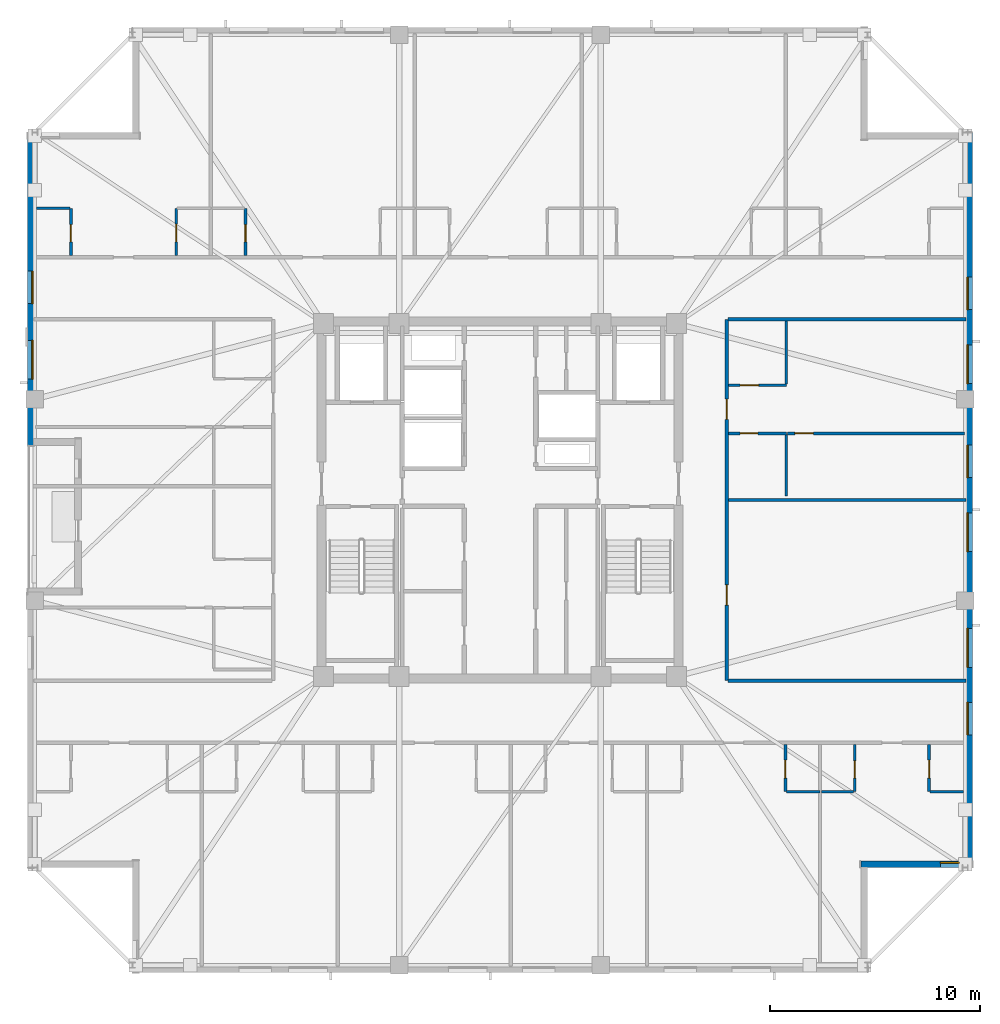
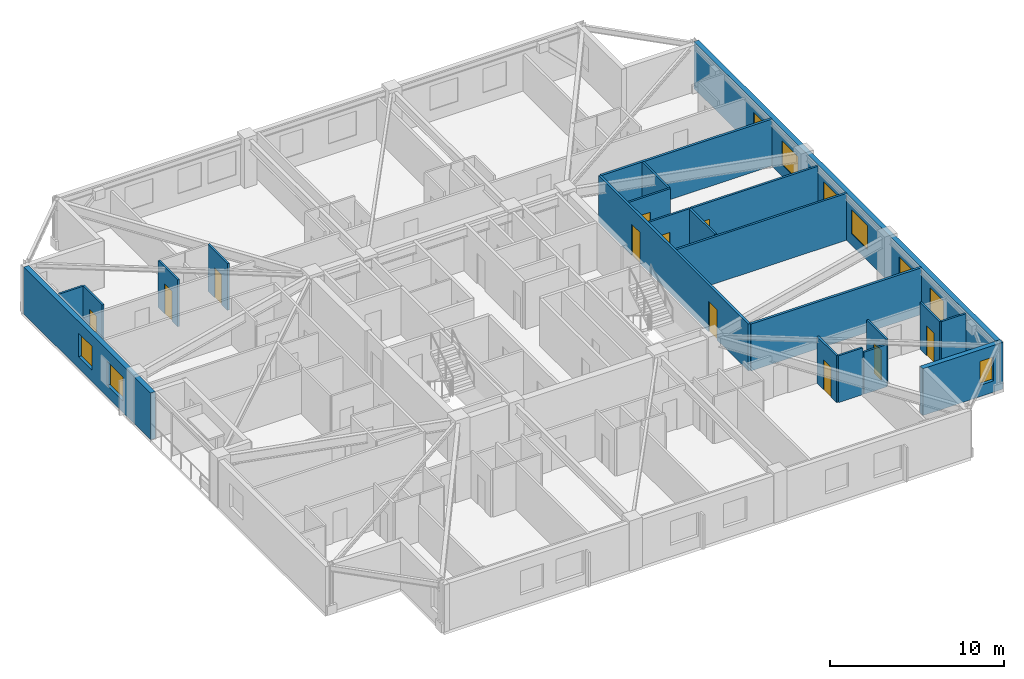
# One storey, part 10 of 17: 22 walls, 11 doors, 9 windows, 20 openings.
"""IFC4 building model written with IfcOpenShell, lengths in metres."""

from ifc_helpers import new_model, si_unit, direction, frame, frame_2d, origin, place, context, subcontext, project, spatial, rectangle, extrude, material, layer, layer_set, type_object, element, fill, save


model = new_model("IFC4")

# Units and contexts
model_context = context("Model", 3, precision=1e-05, world=origin(), true_north=direction((0.0, 1.0)))
body_context = subcontext(model_context, "Body", "Model", "MODEL_VIEW")
ifc_project = project(units=[si_unit("LENGTHUNIT", "METRE"), si_unit("AREAUNIT", "SQUARE_METRE"), si_unit("VOLUMEUNIT", "CUBIC_METRE"), si_unit("PLANEANGLEUNIT", "RADIAN"), si_unit("MASSUNIT", "GRAM", prefix="KILO")], contexts=[model_context])

# Site, building, storey
site_placement = place(None, origin())
site = spatial("IfcSite", under=ifc_project, at=site_placement, CompositionType="ELEMENT")
building_placement = place(site_placement, origin())
building = spatial("IfcBuilding", under=site, at=building_placement, Name="Cairnveth Concourse Tower", CompositionType="ELEMENT")
storey_placement = place(building_placement, frame((0.0, 0.0, 237.5)))
storey = spatial("IfcBuildingStorey", under=building, at=storey_placement, Name="L65", CompositionType="ELEMENT", Elevation=237.5)

# Wall, openings, doors
ifc_material_1 = material(Name="Gypsum Plasterboard Partition", Category="gypsum")
ifc_layer_1 = layer(ifc_material_1, 0.159912109375)
ifc_layer_set_1 = layer_set([ifc_layer_1], Name="Gypsum Plasterboard Partition")
wall_type_1 = type_object("IfcWallType", Name="ACOUSTIC PARTY WALL 180", PredefinedType="PARTITIONING", material=ifc_layer_set_1)
wall_1_placement = place(storey_placement, frame((62.800048828125, 30.39990234375, 0.0), z_axis=(0.0, 0.0, 1.0), x_axis=(0.0, 1.0, 0.0)))
wall_1 = element("IfcWall", 1, at=wall_1_placement, inside=storey, type_object=wall_type_1, Name="Interior Wall IW-L65-039", PredefinedType="PARTITIONING", context=body_context, shape_type="SweptSolid", body=[
    extrude(rectangle(XDim=17.2001953125, YDim=0.159912109375, at=frame_2d((8.60009765625, 0.0))), origin(), (0.0, 0.0, 1.0), 3.2900390625),
])
opening_1_placement = place(wall_1_placement, frame((3.60009765625, 0.0, 0.0)))
opening_1 = element("IfcOpeningElement", 2, at=opening_1_placement, cuts=wall_1, Name="Opening ID11", PredefinedType="OPENING", context=body_context, shape_type="SweptSolid", body=[
    extrude(rectangle(XDim=0.9599609375, YDim=2.1201171875, at=frame_2d((0.47998046875, 1.06005859375))), frame((0.0, 0.08984375, 0.0), z_axis=(0.0, -1.0, 0.0), x_axis=(1.0, 0.0, 0.0)), (0.0, 0.0, 1.0), 0.179931640625),
])
opening_2_placement = place(wall_1_placement, frame((12.43994140625, 0.0, 0.0)))
opening_2 = element("IfcOpeningElement", 3, at=opening_2_placement, cuts=wall_1, Name="Opening ID10", PredefinedType="OPENING", context=body_context, shape_type="SweptSolid", body=[
    extrude(rectangle(XDim=0.9599609375, YDim=2.179931640625, at=frame_2d((0.47998046875, 1.08984375))), frame((0.0, 0.08984375, 0.0), z_axis=(0.0, -1.0, 0.0), x_axis=(1.0, 0.0, 0.0)), (0.0, 0.0, 1.0), 0.179931640625),
])
ifc_material_2 = material(Name="Solid Core Hardwood Timber Leaf", Category="wood")
door_type_1 = type_object("IfcDoorType", Name="FLAT ENTRANCE DOOR 960X2150", OperationType="NOTDEFINED", PredefinedType="DOOR", material=ifc_material_2)
door_1_placement = place(opening_2_placement, origin())
door_1 = element("IfcDoor", 4, at=door_1_placement, inside=storey, type_object=door_type_1, Name="Apartment L65E1 Entrance Door", OperationType="SINGLE_SWING_RIGHT", OverallHeight=2.179931640625, OverallWidth=0.9599609375, PredefinedType="DOOR", context=body_context, shape_type="SweptSolid", body=[
    extrude(rectangle(XDim=0.9599609375, YDim=2.179931640625, at=frame_2d((0.47998046875, 1.08984375))), frame((0.0, 0.02490234375, 0.0), z_axis=(0.0, -1.0, 0.0), x_axis=(1.0, 0.0, 0.0)), (0.0, 0.0, 1.0), 0.050048828125),
])
fill(opening_2, door_1)
door_type_2 = type_object("IfcDoorType", Name="INTERIOR SINGLE DOOR 960X2150", OperationType="NOTDEFINED", PredefinedType="DOOR", material=ifc_material_2)
door_2_placement = place(opening_1_placement, origin())
door_2 = element("IfcDoor", 5, at=door_2_placement, inside=storey, type_object=door_type_2, Name="Interior Door DR-L65-058", OperationType="SINGLE_SWING_RIGHT", OverallHeight=2.1201171875, OverallWidth=0.9599609375, PredefinedType="DOOR", context=body_context, shape_type="SweptSolid", body=[
    extrude(rectangle(XDim=0.9599609375, YDim=2.1201171875, at=frame_2d((0.47998046875, 1.06005859375))), frame((0.0, 0.02490234375, 0.0), z_axis=(0.0, -1.0, 0.0), x_axis=(1.0, 0.0, 0.0)), (0.0, 0.0, 1.0), 0.050048828125),
])
fill(opening_1, door_2)

# Walls
for number, where, z_axis, x_axis, name in (
    (6, (62.864990234375, 30.39990234375, 0.0), (0.0, 0.0, 1.0), (1.0, 0.0, 0.0), "Interior Wall IW-L65-042"),
    (7, (62.864990234375, 47.60009765625, 0.0), (0.0, 0.0, 1.0), (1.0, 0.0, 0.0), "Interior Wall IW-L65-043"),
):
    element("IfcWall", number, at=place(storey_placement, frame(where, z_axis=z_axis, x_axis=x_axis)), inside=storey, type_object=wall_type_1, Name=name, PredefinedType="PARTITIONING", context=body_context, shape_type="SweptSolid", body=[
        extrude(rectangle(XDim=11.330078125, YDim=0.159912109375, at=frame_2d((5.6650390625, 0.0))), origin(), (0.0, 0.0, 1.0), 3.2900390625),
    ])
ifc_layer_2 = layer(ifc_material_1, 0.139892578125)
ifc_layer_set_2 = layer_set([ifc_layer_2], Name="Gypsum Plasterboard Partition")
wall_type_2 = type_object("IfcWallType", Name="GYPSUM STUD PARTITION 140", PredefinedType="PARTITIONING", material=ifc_layer_set_2)
wall_2_placement = place(storey_placement, frame((62.8798828125, 39.0, 0.0), z_axis=(0.0, 0.0, 1.0), x_axis=(1.0, 0.0, 0.0)))
element("IfcWall", 8, at=wall_2_placement, inside=storey, type_object=wall_type_2, Name="Interior Wall IW-L65-109", PredefinedType="PARTITIONING", context=body_context, shape_type="SweptSolid", body=[
    extrude(rectangle(XDim=11.315185546875, YDim=0.139892578125, at=frame_2d((5.65771484375, 0.0))), origin(), (0.0, 0.0, 1.0), 3.2900390625),
])

# Wall, opening, door
wall_3_placement = place(storey_placement, frame((65.679931640625, 42.169921875, 0.0), z_axis=(0.0, 0.0, 1.0), x_axis=(1.0, 0.0, 0.0)))
wall_3 = element("IfcWall", 9, at=wall_3_placement, inside=storey, type_object=wall_type_2, Name="Interior Wall IW-L65-114", PredefinedType="PARTITIONING", context=body_context, shape_type="SweptSolid", body=[
    extrude(rectangle(XDim=8.440185546875, YDim=0.139892578125, at=frame_2d((4.22021484375, 0.0))), origin(), (0.0, 0.0, 1.0), 3.2900390625),
])
opening_3_placement = place(wall_3_placement, frame((0.360107421875, 0.0, 0.0)))
opening_3 = element("IfcOpeningElement", 10, at=opening_3_placement, cuts=wall_3, Name="Opening ID18", PredefinedType="OPENING", context=body_context, shape_type="SweptSolid", body=[
    extrude(rectangle(XDim=0.8798828125, YDim=2.10009765625, at=frame_2d((0.43994140625, 1.050048828125))), frame((0.0, 0.079833984375, 0.0), z_axis=(0.0, -1.0, 0.0), x_axis=(1.0, 0.0, 0.0)), (0.0, 0.0, 1.0), 0.159912109375),
])
door_type_3 = type_object("IfcDoorType", Name="INTERIOR SINGLE DOOR 880X2100", OperationType="NOTDEFINED", PredefinedType="DOOR", material=ifc_material_2)
door_3_placement = place(opening_3_placement, origin())
door_3 = element("IfcDoor", 11, at=door_3_placement, inside=storey, type_object=door_type_3, Name="L65E1 Master Bedroom Door", OperationType="SINGLE_SWING_LEFT", OverallHeight=2.10009765625, OverallWidth=0.8798828125, PredefinedType="DOOR", context=body_context, shape_type="SweptSolid", body=[
    extrude(rectangle(XDim=0.8798828125, YDim=2.10009765625, at=frame_2d((0.43994140625, 1.050048828125))), frame((0.0, 0.02490234375, 0.0), z_axis=(0.0, -1.0, 0.0), x_axis=(1.0, 0.0, 0.0)), (0.0, 0.0, 1.0), 0.050048828125),
])
fill(opening_3, door_3)

ifc_layer_3 = layer(ifc_material_1, 0.1298828125)
ifc_layer_set_3 = layer_set([ifc_layer_3], Name="Gypsum Plasterboard Partition")
wall_type_3 = type_object("IfcWallType", Name="WET AREA PARTITION 140", PredefinedType="PLUMBINGWALL", material=ifc_layer_set_3)
wall_4_placement = place(storey_placement, frame((65.590087890625, 25.112548828125, 0.0), z_axis=(0.0, 0.0, 1.0), x_axis=(0.0, 1.0, 0.0)))
wall_4 = element("IfcWall", 12, at=wall_4_placement, inside=storey, type_object=wall_type_3, Name="Interior Wall IW-L65-066", PredefinedType="PLUMBINGWALL", context=body_context, shape_type="SweptSolid", body=[
    extrude(rectangle(XDim=2.25, YDim=0.1298828125, at=frame_2d((1.125, 0.0))), origin(), (0.0, 0.0, 1.0), 3.2900390625),
])
opening_4_placement = place(wall_4_placement, frame((0.64990234375, 0.0, 0.0)))
opening_4 = element("IfcOpeningElement", 13, at=opening_4_placement, cuts=wall_4, Name="Opening ID20", PredefinedType="OPENING", context=body_context, shape_type="SweptSolid", body=[
    extrude(rectangle(XDim=0.85009765625, YDim=2.10009765625, at=frame_2d((0.425048828125, 1.050048828125))), frame((0.0, 0.074951171875, 0.0), z_axis=(0.0, -1.0, 0.0), x_axis=(1.0, 0.0, 0.0)), (0.0, 0.0, 1.0), 0.14990234375),
])
door_type_4 = type_object("IfcDoorType", Name="INTERIOR SINGLE DOOR 850X2100", OperationType="NOTDEFINED", PredefinedType="DOOR", material=ifc_material_2)
door_4_placement = place(opening_4_placement, origin())
door_4 = element("IfcDoor", 14, at=door_4_placement, inside=storey, type_object=door_type_4, Name="L65STS5 Kitchen Door", OperationType="SINGLE_SWING_RIGHT", OverallHeight=2.10009765625, OverallWidth=0.85009765625, PredefinedType="DOOR", context=body_context, shape_type="SweptSolid", body=[
    extrude(rectangle(XDim=0.85009765625, YDim=2.10009765625, at=frame_2d((0.425048828125, 1.050048828125))), frame((0.0, 0.02490234375, 0.0), z_axis=(0.0, -1.0, 0.0), x_axis=(1.0, 0.0, 0.0)), (0.0, 0.0, 1.0), 0.050048828125),
])
fill(opening_4, door_4)

# Wall
wall_5_placement = place(storey_placement, frame((65.639892578125, 25.112548828125, 0.0), z_axis=(0.0, 0.0, 1.0), x_axis=(1.0, 0.0, 0.0)))
element("IfcWall", 15, at=wall_5_placement, inside=storey, type_object=wall_type_3, Name="Interior Wall IW-L65-067", PredefinedType="PLUMBINGWALL", context=body_context, shape_type="SweptSolid", body=[
    extrude(rectangle(XDim=1.60009765625, YDim=0.1298828125, at=frame_2d((0.800048828125, 0.0))), origin(), (0.0, 0.0, 1.0), 3.2900390625),
])

# Wall, opening, door
wall_6_placement = place(storey_placement, frame((68.889892578125, 25.112548828125, 0.0), z_axis=(0.0, 0.0, 1.0), x_axis=(0.0, 1.0, 0.0)))
wall_6 = element("IfcWall", 16, at=wall_6_placement, inside=storey, type_object=wall_type_3, Name="Interior Wall IW-L65-069", PredefinedType="PLUMBINGWALL", context=body_context, shape_type="SweptSolid", body=[
    extrude(rectangle(XDim=2.25, YDim=0.1298828125, at=frame_2d((1.125, 0.0))), origin(), (0.0, 0.0, 1.0), 3.2900390625),
])
opening_5_placement = place(wall_6_placement, frame((0.64990234375, 0.0, 0.0)))
opening_5 = element("IfcOpeningElement", 17, at=opening_5_placement, cuts=wall_6, Name="Opening ID22", PredefinedType="OPENING", context=body_context, shape_type="SweptSolid", body=[
    extrude(rectangle(XDim=0.820068359375, YDim=2.10009765625, at=frame_2d((0.41015625, 1.050048828125))), frame((0.0, 0.074951171875, 0.0), z_axis=(0.0, -1.0, 0.0), x_axis=(1.0, 0.0, 0.0)), (0.0, 0.0, 1.0), 0.14990234375),
])
door_type_5 = type_object("IfcDoorType", Name="INTERIOR WC DOOR 820X2100", OperationType="NOTDEFINED", PredefinedType="DOOR", material=ifc_material_2)
door_5_placement = place(opening_5_placement, origin())
door_5 = element("IfcDoor", 18, at=door_5_placement, inside=storey, type_object=door_type_5, Name="L65STS6 Bathroom Door", OperationType="SINGLE_SWING_RIGHT", OverallHeight=2.10009765625, OverallWidth=0.820068359375, PredefinedType="DOOR", context=body_context, shape_type="SweptSolid", body=[
    extrude(rectangle(XDim=0.820068359375, YDim=2.10009765625, at=frame_2d((0.41015625, 1.050048828125))), frame((0.0, 0.02490234375, 0.0), z_axis=(0.0, -1.0, 0.0), x_axis=(1.0, 0.0, 0.0)), (0.0, 0.0, 1.0), 0.050048828125),
])
fill(opening_5, door_5)

# Wall
wall_7_placement = place(storey_placement, frame((67.304931640625, 25.112548828125, 0.0), z_axis=(0.0, 0.0, 1.0), x_axis=(1.0, 0.0, 0.0)))
element("IfcWall", 19, at=wall_7_placement, inside=storey, type_object=wall_type_3, Name="Interior Wall IW-L65-070", PredefinedType="PLUMBINGWALL", context=body_context, shape_type="SweptSolid", body=[
    extrude(rectangle(XDim=1.53515625, YDim=0.1298828125, at=frame_2d((0.767578125, 0.0))), origin(), (0.0, 0.0, 1.0), 2.9580078125),
])

# Wall, opening, door
wall_8_placement = place(storey_placement, frame((72.429931640625, 25.112548828125, 0.0), z_axis=(0.0, 0.0, 1.0), x_axis=(0.0, 1.0, 0.0)))
wall_8 = element("IfcWall", 20, at=wall_8_placement, inside=storey, type_object=wall_type_3, Name="Interior Wall IW-L65-071", PredefinedType="PLUMBINGWALL", context=body_context, shape_type="SweptSolid", body=[
    extrude(rectangle(XDim=2.25, YDim=0.1298828125, at=frame_2d((1.125, 0.0))), origin(), (0.0, 0.0, 1.0), 3.2900390625),
])
opening_6_placement = place(wall_8_placement, frame((0.64990234375, 0.0, 0.0)))
opening_6 = element("IfcOpeningElement", 21, at=opening_6_placement, cuts=wall_8, Name="Opening ID20", PredefinedType="OPENING", context=body_context, shape_type="SweptSolid", body=[
    extrude(rectangle(XDim=0.85009765625, YDim=2.10009765625, at=frame_2d((0.425048828125, 1.050048828125))), frame((0.0, 0.074951171875, 0.0), z_axis=(0.0, -1.0, 0.0), x_axis=(1.0, 0.0, 0.0)), (0.0, 0.0, 1.0), 0.14990234375),
])
door_6_placement = place(opening_6_placement, origin())
door_6 = element("IfcDoor", 22, at=door_6_placement, inside=storey, type_object=door_type_4, Name="L65STS6 Kitchen Door", OperationType="SINGLE_SWING_LEFT", OverallHeight=2.10009765625, OverallWidth=0.85009765625, PredefinedType="DOOR", context=body_context, shape_type="SweptSolid", body=[
    extrude(rectangle(XDim=0.85009765625, YDim=2.10009765625, at=frame_2d((0.425048828125, 1.050048828125))), frame((0.0, 0.02490234375, 0.0), z_axis=(0.0, -1.0, 0.0), x_axis=(1.0, 0.0, 0.0)), (0.0, 0.0, 1.0), 0.050048828125),
])
fill(opening_6, door_6)

# Wall
wall_9_placement = place(storey_placement, frame((72.47998046875, 25.112548828125, 0.0), z_axis=(0.0, 0.0, 1.0), x_axis=(1.0, 0.0, 0.0)))
element("IfcWall", 23, at=wall_9_placement, inside=storey, type_object=wall_type_3, Name="Interior Wall IW-L65-072", PredefinedType="PLUMBINGWALL", context=body_context, shape_type="SweptSolid", body=[
    extrude(rectangle(XDim=1.60009765625, YDim=0.1298828125, at=frame_2d((0.800048828125, 0.0))), origin(), (0.0, 0.0, 1.0), 3.2900390625),
])

# Wall, opening, door
wall_10_placement = place(storey_placement, frame((31.570068359375, 50.637451171875, 0.0), z_axis=(0.0, 0.0, 1.0), x_axis=(0.0, 1.0, 0.0)))
wall_10 = element("IfcWall", 24, at=wall_10_placement, inside=storey, type_object=wall_type_3, Name="Interior Wall IW-L65-073", PredefinedType="PLUMBINGWALL", context=body_context, shape_type="SweptSolid", body=[
    extrude(rectangle(XDim=2.25, YDim=0.1298828125, at=frame_2d((1.125, 0.0))), origin(), (0.0, 0.0, 1.0), 3.2900390625),
])
opening_7_placement = place(wall_10_placement, frame((0.64990234375, 0.0, 0.0)))
opening_7 = element("IfcOpeningElement", 25, at=opening_7_placement, cuts=wall_10, Name="Opening ID22", PredefinedType="OPENING", context=body_context, shape_type="SweptSolid", body=[
    extrude(rectangle(XDim=0.820068359375, YDim=2.10009765625, at=frame_2d((0.41015625, 1.050048828125))), frame((0.0, 0.074951171875, 0.0), z_axis=(0.0, -1.0, 0.0), x_axis=(1.0, 0.0, 0.0)), (0.0, 0.0, 1.0), 0.14990234375),
])
door_7_placement = place(opening_7_placement, origin())
door_7 = element("IfcDoor", 26, at=door_7_placement, inside=storey, type_object=door_type_5, Name="L65STN1 Bathroom Door", OperationType="SINGLE_SWING_LEFT", OverallHeight=2.10009765625, OverallWidth=0.820068359375, PredefinedType="DOOR", context=body_context, shape_type="SweptSolid", body=[
    extrude(rectangle(XDim=0.820068359375, YDim=2.10009765625, at=frame_2d((0.41015625, 1.050048828125))), frame((0.0, 0.02490234375, 0.0), z_axis=(0.0, -1.0, 0.0), x_axis=(1.0, 0.0, 0.0)), (0.0, 0.0, 1.0), 0.050048828125),
])
fill(opening_7, door_7)

# Wall
wall_11_placement = place(storey_placement, frame((29.919921875, 52.887451171875, 0.0), z_axis=(0.0, 0.0, 1.0), x_axis=(1.0, 0.0, 0.0)))
element("IfcWall", 27, at=wall_11_placement, inside=storey, type_object=wall_type_3, Name="Interior Wall IW-L65-074", PredefinedType="PLUMBINGWALL", context=body_context, shape_type="SweptSolid", body=[
    extrude(rectangle(XDim=1.60009765625, YDim=0.1298828125, at=frame_2d((0.800048828125, 0.0))), origin(), (0.0, 0.0, 1.0), 3.2900390625),
])

# Wall, opening, door
wall_12_placement = place(storey_placement, frame((36.58203125, 50.637451171875, 0.0), z_axis=(0.0, 0.0, 1.0), x_axis=(0.0, 1.0, 0.0)))
wall_12 = element("IfcWall", 28, at=wall_12_placement, inside=storey, type_object=wall_type_3, Name="Interior Wall IW-L65-075", PredefinedType="PLUMBINGWALL", context=body_context, shape_type="SweptSolid", body=[
    extrude(rectangle(XDim=2.25, YDim=0.1298828125, at=frame_2d((1.125, 0.0))), origin(), (0.0, 0.0, 1.0), 3.2900390625),
])
opening_8_placement = place(wall_12_placement, frame((0.64990234375, 0.0, 0.0)))
opening_8 = element("IfcOpeningElement", 29, at=opening_8_placement, cuts=wall_12, Name="Opening ID20", PredefinedType="OPENING", context=body_context, shape_type="SweptSolid", body=[
    extrude(rectangle(XDim=0.85009765625, YDim=2.10009765625, at=frame_2d((0.425048828125, 1.050048828125))), frame((0.0, 0.074951171875, 0.0), z_axis=(0.0, -1.0, 0.0), x_axis=(1.0, 0.0, 0.0)), (0.0, 0.0, 1.0), 0.14990234375),
])
door_8_placement = place(opening_8_placement, origin())
door_8 = element("IfcDoor", 30, at=door_8_placement, inside=storey, type_object=door_type_4, Name="L65STN1 Kitchen Door", OperationType="SINGLE_SWING_RIGHT", OverallHeight=2.10009765625, OverallWidth=0.85009765625, PredefinedType="DOOR", context=body_context, shape_type="SweptSolid", body=[
    extrude(rectangle(XDim=0.85009765625, YDim=2.10009765625, at=frame_2d((0.425048828125, 1.050048828125))), frame((0.0, 0.02490234375, 0.0), z_axis=(0.0, -1.0, 0.0), x_axis=(1.0, 0.0, 0.0)), (0.0, 0.0, 1.0), 0.050048828125),
])
fill(opening_8, door_8)

wall_13_placement = place(storey_placement, frame((39.882080078125, 50.637451171875, 0.0), z_axis=(0.0, 0.0, 1.0), x_axis=(0.0, 1.0, 0.0)))
wall_13 = element("IfcWall", 31, at=wall_13_placement, inside=storey, type_object=wall_type_3, Name="Interior Wall IW-L65-078", PredefinedType="PLUMBINGWALL", context=body_context, shape_type="SweptSolid", body=[
    extrude(rectangle(XDim=2.25, YDim=0.1298828125, at=frame_2d((1.125, 0.0))), origin(), (0.0, 0.0, 1.0), 3.2900390625),
])
opening_9_placement = place(wall_13_placement, frame((0.64990234375, 0.0, 0.0)))
opening_9 = element("IfcOpeningElement", 32, at=opening_9_placement, cuts=wall_13, Name="Opening ID22", PredefinedType="OPENING", context=body_context, shape_type="SweptSolid", body=[
    extrude(rectangle(XDim=0.820068359375, YDim=2.10009765625, at=frame_2d((0.41015625, 1.050048828125))), frame((0.0, 0.074951171875, 0.0), z_axis=(0.0, -1.0, 0.0), x_axis=(1.0, 0.0, 0.0)), (0.0, 0.0, 1.0), 0.14990234375),
])
door_9_placement = place(opening_9_placement, origin())
door_9 = element("IfcDoor", 33, at=door_9_placement, inside=storey, type_object=door_type_5, Name="L65STN2 Bathroom Door", OperationType="SINGLE_SWING_RIGHT", OverallHeight=2.10009765625, OverallWidth=0.820068359375, PredefinedType="DOOR", context=body_context, shape_type="SweptSolid", body=[
    extrude(rectangle(XDim=0.820068359375, YDim=2.10009765625, at=frame_2d((0.41015625, 1.050048828125))), frame((0.0, 0.02490234375, 0.0), z_axis=(0.0, -1.0, 0.0), x_axis=(1.0, 0.0, 0.0)), (0.0, 0.0, 1.0), 0.050048828125),
])
fill(opening_9, door_9)

wall_14_placement = place(storey_placement, frame((62.8798828125, 42.169921875, 0.0), z_axis=(0.0, 0.0, 1.0), x_axis=(1.0, 0.0, 0.0)))
wall_14 = element("IfcWall", 34, at=wall_14_placement, inside=storey, type_object=wall_type_3, Name="Interior Wall IW-L65-110", PredefinedType="PLUMBINGWALL", context=body_context, shape_type="SweptSolid", body=[
    extrude(rectangle(XDim=2.75, YDim=0.1298828125, at=frame_2d((1.375, 0.0))), origin(), (0.0, 0.0, 1.0), 3.2900390625),
])
opening_10_placement = place(wall_14_placement, frame((0.550048828125, 0.0, 0.0)))
opening_10 = element("IfcOpeningElement", 35, at=opening_10_placement, cuts=wall_14, Name="Opening ID21", PredefinedType="OPENING", context=body_context, shape_type="SweptSolid", body=[
    extrude(rectangle(XDim=0.85009765625, YDim=2.080078125, at=frame_2d((0.425048828125, 1.0400390625))), frame((0.0, 0.074951171875, 0.0), z_axis=(0.0, -1.0, 0.0), x_axis=(1.0, 0.0, 0.0)), (0.0, 0.0, 1.0), 0.14990234375),
])
door_type_6 = type_object("IfcDoorType", Name="INTERIOR WC DOOR 850X2100", OperationType="NOTDEFINED", PredefinedType="DOOR", material=ifc_material_2)
door_10_placement = place(opening_10_placement, origin())
door_10 = element("IfcDoor", 36, at=door_10_placement, inside=storey, type_object=door_type_6, Name="L65E1 Bathroom Door", OperationType="SINGLE_SWING_LEFT", OverallHeight=2.080078125, OverallWidth=0.85009765625, PredefinedType="DOOR", context=body_context, shape_type="SweptSolid", body=[
    extrude(rectangle(XDim=0.85009765625, YDim=2.080078125, at=frame_2d((0.425048828125, 1.0400390625))), frame((0.0, 0.02490234375, 0.0), z_axis=(0.0, -1.0, 0.0), x_axis=(1.0, 0.0, 0.0)), (0.0, 0.0, 1.0), 0.050048828125),
])
fill(opening_10, door_10)

# Wall
wall_15_placement = place(storey_placement, frame((65.6298828125, 39.179931640625, 0.0), z_axis=(0.0, 0.0, 1.0), x_axis=(0.0, 1.0, 0.0)))
element("IfcWall", 37, at=wall_15_placement, inside=storey, type_object=wall_type_3, Name="Interior Wall IW-L65-111", PredefinedType="PLUMBINGWALL", context=body_context, shape_type="SweptSolid", body=[
    extrude(rectangle(XDim=2.940185546875, YDim=0.1298828125, at=frame_2d((1.47021484375, 0.0))), origin(), (0.0, 0.0, 1.0), 3.2900390625),
])

# Wall, opening, door
wall_16_placement = place(storey_placement, frame((62.8798828125, 44.469970703125, 0.0), z_axis=(0.0, 0.0, 1.0), x_axis=(1.0, 0.0, 0.0)))
wall_16 = element("IfcWall", 38, at=wall_16_placement, inside=storey, type_object=wall_type_3, Name="Interior Wall IW-L65-112", PredefinedType="PLUMBINGWALL", context=body_context, shape_type="SweptSolid", body=[
    extrude(rectangle(XDim=2.75, YDim=0.1298828125, at=frame_2d((1.375, 0.0))), origin(), (0.0, 0.0, 1.0), 3.2900390625),
])
opening_11_placement = place(wall_16_placement, frame((0.550048828125, 0.0, 0.0)))
opening_11 = element("IfcOpeningElement", 39, at=opening_11_placement, cuts=wall_16, Name="Opening ID18", PredefinedType="OPENING", context=body_context, shape_type="SweptSolid", body=[
    extrude(rectangle(XDim=0.8798828125, YDim=2.10009765625, at=frame_2d((0.43994140625, 1.050048828125))), frame((0.0, 0.074951171875, 0.0), z_axis=(0.0, -1.0, 0.0), x_axis=(1.0, 0.0, 0.0)), (0.0, 0.0, 1.0), 0.14990234375),
])
door_11_placement = place(opening_11_placement, origin())
door_11 = element("IfcDoor", 40, at=door_11_placement, inside=storey, type_object=door_type_3, Name="L65E1 Kitchen Door", OperationType="SINGLE_SWING_RIGHT", OverallHeight=2.10009765625, OverallWidth=0.8798828125, PredefinedType="DOOR", context=body_context, shape_type="SweptSolid", body=[
    extrude(rectangle(XDim=0.8798828125, YDim=2.10009765625, at=frame_2d((0.43994140625, 1.050048828125))), frame((0.0, 0.02490234375, 0.0), z_axis=(0.0, -1.0, 0.0), x_axis=(1.0, 0.0, 0.0)), (0.0, 0.0, 1.0), 0.050048828125),
])
fill(opening_11, door_11)

# Wall
wall_17_placement = place(storey_placement, frame((65.6298828125, 44.52001953125, 0.0), z_axis=(0.0, 0.0, 1.0), x_axis=(0.0, 1.0, 0.0)))
element("IfcWall", 41, at=wall_17_placement, inside=storey, type_object=wall_type_3, Name="Interior Wall IW-L65-113", PredefinedType="PLUMBINGWALL", context=body_context, shape_type="SweptSolid", body=[
    extrude(rectangle(XDim=3.014892578125, YDim=0.1298828125, at=frame_2d((1.50732421875, 0.0))), origin(), (0.0, 0.0, 1.0), 3.2900390625),
])

# Wall, openings, windows
ifc_material_3 = material(Name="Melbourne Buff Fired Clay Brick Masonry", Category="masonry")
ifc_layer_4 = layer(ifc_material_3, 0.320068359375)
ifc_layer_set_4 = layer_set([ifc_layer_4], Name="Melbourne Buff Fired Clay Brick Masonry")
wall_type_4 = type_object("IfcWallType", Name="ZONE 3 BRICK PIER SPANDREL WALL 320", PredefinedType="SOLIDWALL", material=ifc_layer_set_4)
wall_18_placement = place(storey_placement, frame((29.659912109375, 41.60009765625, 0.0), z_axis=(0.0, 0.0, 1.0), x_axis=(0.0, 1.0, 0.0)))
wall_18 = element("IfcWall", 42, at=wall_18_placement, inside=storey, type_object=wall_type_4, Name="Exterior Wall EW-L65-S00", PredefinedType="SOLIDWALL", context=body_context, shape_type="SweptSolid", body=[
    extrude(rectangle(XDim=14.601806640625, YDim=0.320068359375, at=frame_2d((7.30078125, 0.0))), origin(), (0.0, 0.0, 1.0), 3.2900390625),
])
opening_12_placement = place(wall_18_placement, frame((3.150390625, 0.0, 0.800048828125)))
opening_12 = element("IfcOpeningElement", 43, at=opening_12_placement, cuts=wall_18, Name="Opening W08", PredefinedType="OPENING", context=body_context, shape_type="SweptSolid", body=[
    extrude(rectangle(XDim=1.85009765625, YDim=1.677978515625, at=frame_2d((0.925048828125, 0.8388671875))), frame((0.0, 0.169921875, 0.0), z_axis=(0.0, -1.0, 0.0), x_axis=(1.0, 0.0, 0.0)), (0.0, 0.0, 1.0), 0.340087890625),
])
opening_13_placement = place(wall_18_placement, frame((6.75146484375, 0.0, 0.800048828125)))
opening_13 = element("IfcOpeningElement", 44, at=opening_13_placement, cuts=wall_18, Name="Opening W07", PredefinedType="OPENING", context=body_context, shape_type="SweptSolid", body=[
    extrude(rectangle(XDim=1.550048828125, YDim=1.677978515625, at=frame_2d((0.77490234375, 0.8388671875))), frame((0.0, 0.169921875, 0.0), z_axis=(0.0, -1.0, 0.0), x_axis=(1.0, 0.0, 0.0)), (0.0, 0.0, 1.0), 0.340087890625),
])
ifc_material_4 = material(Name="Double Glazed Low-E Clear Glass", Category="glass")
window_type_1 = type_object("IfcWindowType", Name="DEEP-SET APARTMENT LIVING WINDOW 1850X1850", PartitioningType="DOUBLE_PANEL_VERTICAL", PredefinedType="WINDOW", material=ifc_material_4)
window_1_placement = place(opening_12_placement, origin())
window_1 = element("IfcWindow", 45, at=window_1_placement, inside=storey, type_object=window_type_1, Name="Gothic Lancet Window L65-0-1", OverallHeight=1.677978515625, OverallWidth=1.85009765625, PartitioningType="SINGLE_PANEL", PredefinedType="WINDOW", context=body_context, shape_type="SweptSolid", body=[
    extrude(rectangle(XDim=1.85009765625, YDim=1.677978515625, at=frame_2d((0.925048828125, 0.8388671875))), frame((0.0, -0.050048828125, 0.0), z_axis=(0.0, -1.0, 0.0), x_axis=(1.0, 0.0, 0.0)), (0.0, 0.0, 1.0), 0.06005859375),
])
fill(opening_12, window_1)
window_type_2 = type_object("IfcWindowType", Name="DEEP-SET APARTMENT WINDOW 1550X1800", PartitioningType="DOUBLE_PANEL_VERTICAL", PredefinedType="WINDOW", material=ifc_material_4)
window_2_placement = place(opening_13_placement, origin())
window_2 = element("IfcWindow", 46, at=window_2_placement, inside=storey, type_object=window_type_2, Name="Gothic Lancet Window L65-0-2", OverallHeight=1.677978515625, OverallWidth=1.550048828125, PartitioningType="SINGLE_PANEL", PredefinedType="WINDOW", context=body_context, shape_type="SweptSolid", body=[
    extrude(rectangle(XDim=1.550048828125, YDim=1.677978515625, at=frame_2d((0.77490234375, 0.8388671875))), frame((0.0, -0.050048828125, 0.0), z_axis=(0.0, -1.0, 0.0), x_axis=(1.0, 0.0, 0.0)), (0.0, 0.0, 1.0), 0.06005859375),
])
fill(opening_13, window_2)

wall_19_placement = place(storey_placement, frame((74.340087890625, 56.5, 0.0), z_axis=(0.0, 0.0, 1.0), x_axis=(0.0, -1.0, 0.0)))
wall_19 = element("IfcWall", 47, at=wall_19_placement, inside=storey, type_object=wall_type_4, Name="Exterior Wall EW-L65-S06", PredefinedType="SOLIDWALL", context=body_context, shape_type="SweptSolid", body=[
    extrude(rectangle(XDim=34.701904296875, YDim=0.320068359375, at=frame_2d((17.35107421875, 0.0))), origin(), (0.0, 0.0, 1.0), 3.2900390625),
])
opening_14_placement = place(wall_19_placement, frame((6.887939453125, 0.0, 0.800048828125)))
opening_14 = element("IfcOpeningElement", 48, at=opening_14_placement, cuts=wall_19, Name="Opening W07", PredefinedType="OPENING", context=body_context, shape_type="SweptSolid", body=[
    extrude(rectangle(XDim=1.550048828125, YDim=1.677978515625, at=frame_2d((0.77490234375, 0.8388671875))), frame((0.0, 0.169921875, 0.0), z_axis=(0.0, -1.0, 0.0), x_axis=(1.0, 0.0, 0.0)), (0.0, 0.0, 1.0), 0.340087890625),
])
opening_15_placement = place(wall_19_placement, frame((10.113037109375, 0.0, 0.800048828125)))
opening_15 = element("IfcOpeningElement", 49, at=opening_15_placement, cuts=wall_19, Name="Opening W08", PredefinedType="OPENING", context=body_context, shape_type="SweptSolid", body=[
    extrude(rectangle(XDim=1.85009765625, YDim=1.677978515625, at=frame_2d((0.925048828125, 0.8388671875))), frame((0.0, 0.169921875, 0.0), z_axis=(0.0, -1.0, 0.0), x_axis=(1.0, 0.0, 0.0)), (0.0, 0.0, 1.0), 0.340087890625),
])
opening_16_placement = place(wall_19_placement, frame((14.888427734375, 0.0, 0.800048828125)))
opening_16 = element("IfcOpeningElement", 50, at=opening_16_placement, cuts=wall_19, Name="Opening W07", PredefinedType="OPENING", context=body_context, shape_type="SweptSolid", body=[
    extrude(rectangle(XDim=1.550048828125, YDim=1.677978515625, at=frame_2d((0.77490234375, 0.8388671875))), frame((0.0, 0.169921875, 0.0), z_axis=(0.0, -1.0, 0.0), x_axis=(1.0, 0.0, 0.0)), (0.0, 0.0, 1.0), 0.340087890625),
])
opening_17_placement = place(wall_19_placement, frame((18.113525390625, 0.0, 0.800048828125)))
opening_17 = element("IfcOpeningElement", 51, at=opening_17_placement, cuts=wall_19, Name="Opening W08", PredefinedType="OPENING", context=body_context, shape_type="SweptSolid", body=[
    extrude(rectangle(XDim=1.85009765625, YDim=1.677978515625, at=frame_2d((0.925048828125, 0.8388671875))), frame((0.0, 0.169921875, 0.0), z_axis=(0.0, -1.0, 0.0), x_axis=(1.0, 0.0, 0.0)), (0.0, 0.0, 1.0), 0.340087890625),
])
opening_18_placement = place(wall_19_placement, frame((23.614013671875, 0.0, 0.800048828125)))
opening_18 = element("IfcOpeningElement", 52, at=opening_18_placement, cuts=wall_19, Name="Opening W08", PredefinedType="OPENING", context=body_context, shape_type="SweptSolid", body=[
    extrude(rectangle(XDim=1.85009765625, YDim=1.677978515625, at=frame_2d((0.925048828125, 0.8388671875))), frame((0.0, 0.169921875, 0.0), z_axis=(0.0, -1.0, 0.0), x_axis=(1.0, 0.0, 0.0)), (0.0, 0.0, 1.0), 0.340087890625),
])
opening_19_placement = place(wall_19_placement, frame((27.139404296875, 0.0, 0.800048828125)))
opening_19 = element("IfcOpeningElement", 53, at=opening_19_placement, cuts=wall_19, Name="Opening W07", PredefinedType="OPENING", context=body_context, shape_type="SweptSolid", body=[
    extrude(rectangle(XDim=1.550048828125, YDim=1.677978515625, at=frame_2d((0.77490234375, 0.8388671875))), frame((0.0, 0.169921875, 0.0), z_axis=(0.0, -1.0, 0.0), x_axis=(1.0, 0.0, 0.0)), (0.0, 0.0, 1.0), 0.340087890625),
])
window_3_placement = place(opening_15_placement, origin())
window_3 = element("IfcWindow", 54, at=window_3_placement, inside=storey, type_object=window_type_1, Name="Gothic Lancet Window L65-6-3", OverallHeight=1.677978515625, OverallWidth=1.85009765625, PartitioningType="SINGLE_PANEL", PredefinedType="WINDOW", context=body_context, shape_type="SweptSolid", body=[
    extrude(rectangle(XDim=1.85009765625, YDim=1.677978515625, at=frame_2d((0.925048828125, 0.8388671875))), frame((0.0, -0.050048828125, 0.0), z_axis=(0.0, -1.0, 0.0), x_axis=(1.0, 0.0, 0.0)), (0.0, 0.0, 1.0), 0.06005859375),
])
fill(opening_15, window_3)
window_4_placement = place(opening_17_placement, origin())
window_4 = element("IfcWindow", 55, at=window_4_placement, inside=storey, type_object=window_type_1, Name="Gothic Lancet Window L65-6-5", OverallHeight=1.677978515625, OverallWidth=1.85009765625, PartitioningType="SINGLE_PANEL", PredefinedType="WINDOW", context=body_context, shape_type="SweptSolid", body=[
    extrude(rectangle(XDim=1.85009765625, YDim=1.677978515625, at=frame_2d((0.925048828125, 0.8388671875))), frame((0.0, -0.050048828125, 0.0), z_axis=(0.0, -1.0, 0.0), x_axis=(1.0, 0.0, 0.0)), (0.0, 0.0, 1.0), 0.06005859375),
])
fill(opening_17, window_4)
window_5_placement = place(opening_18_placement, origin())
window_5 = element("IfcWindow", 56, at=window_5_placement, inside=storey, type_object=window_type_1, Name="Gothic Lancet Window L65-6-7", OverallHeight=1.677978515625, OverallWidth=1.85009765625, PartitioningType="SINGLE_PANEL", PredefinedType="WINDOW", context=body_context, shape_type="SweptSolid", body=[
    extrude(rectangle(XDim=1.85009765625, YDim=1.677978515625, at=frame_2d((0.925048828125, 0.8388671875))), frame((0.0, -0.050048828125, 0.0), z_axis=(0.0, -1.0, 0.0), x_axis=(1.0, 0.0, 0.0)), (0.0, 0.0, 1.0), 0.06005859375),
])
fill(opening_18, window_5)
window_6_placement = place(opening_14_placement, origin())
window_6 = element("IfcWindow", 57, at=window_6_placement, inside=storey, type_object=window_type_2, Name="Gothic Lancet Window L65-6-2", OverallHeight=1.677978515625, OverallWidth=1.550048828125, PartitioningType="SINGLE_PANEL", PredefinedType="WINDOW", context=body_context, shape_type="SweptSolid", body=[
    extrude(rectangle(XDim=1.550048828125, YDim=1.677978515625, at=frame_2d((0.77490234375, 0.8388671875))), frame((0.0, -0.050048828125, 0.0), z_axis=(0.0, -1.0, 0.0), x_axis=(1.0, 0.0, 0.0)), (0.0, 0.0, 1.0), 0.06005859375),
])
fill(opening_14, window_6)
window_7_placement = place(opening_16_placement, origin())
window_7 = element("IfcWindow", 58, at=window_7_placement, inside=storey, type_object=window_type_2, Name="Gothic Lancet Window L65-6-4", OverallHeight=1.677978515625, OverallWidth=1.550048828125, PartitioningType="SINGLE_PANEL", PredefinedType="WINDOW", context=body_context, shape_type="SweptSolid", body=[
    extrude(rectangle(XDim=1.550048828125, YDim=1.677978515625, at=frame_2d((0.77490234375, 0.8388671875))), frame((0.0, -0.050048828125, 0.0), z_axis=(0.0, -1.0, 0.0), x_axis=(1.0, 0.0, 0.0)), (0.0, 0.0, 1.0), 0.06005859375),
])
fill(opening_16, window_7)
window_8_placement = place(opening_19_placement, origin())
window_8 = element("IfcWindow", 59, at=window_8_placement, inside=storey, type_object=window_type_2, Name="Gothic Lancet Window L65-6-8", OverallHeight=1.677978515625, OverallWidth=1.550048828125, PartitioningType="SINGLE_PANEL", PredefinedType="WINDOW", context=body_context, shape_type="SweptSolid", body=[
    extrude(rectangle(XDim=1.550048828125, YDim=1.677978515625, at=frame_2d((0.77490234375, 0.8388671875))), frame((0.0, -0.050048828125, 0.0), z_axis=(0.0, -1.0, 0.0), x_axis=(1.0, 0.0, 0.0)), (0.0, 0.0, 1.0), 0.06005859375),
])
fill(opening_19, window_8)

# Wall, opening, window
wall_20_placement = place(storey_placement, frame((74.5, 21.659912109375, 0.0), z_axis=(0.0, 0.0, 1.0), x_axis=(-1.0, 0.0, 0.0)))
wall_20 = element("IfcWall", 60, at=wall_20_placement, inside=storey, type_object=wall_type_4, Name="Exterior Wall EW-L65-S07", PredefinedType="SOLIDWALL", context=body_context, shape_type="SweptSolid", body=[
    extrude(rectangle(XDim=5.320068359375, YDim=0.320068359375, at=frame_2d((2.66015625, 0.0))), origin(), (0.0, 0.0, 1.0), 3.2900390625),
])
opening_20_placement = place(wall_20_placement, frame((0.6298828125, 0.0, 0.800048828125)))
opening_20 = element("IfcOpeningElement", 61, at=opening_20_placement, cuts=wall_20, Name="Opening W13", PredefinedType="OPENING", context=body_context, shape_type="SweptSolid", body=[
    extrude(rectangle(XDim=0.89990234375, YDim=1.677978515625, at=frame_2d((0.449951171875, 0.8388671875))), frame((0.0, 0.169921875, 0.0), z_axis=(0.0, -1.0, 0.0), x_axis=(1.0, 0.0, 0.0)), (0.0, 0.0, 1.0), 0.340087890625),
])
window_type_3 = type_object("IfcWindowType", Name="DEEP-SET BEDROOM LANCET WINDOW 900X1750", PartitioningType="DOUBLE_PANEL_VERTICAL", PredefinedType="WINDOW", material=ifc_material_4)
window_9_placement = place(opening_20_placement, origin())
window_9 = element("IfcWindow", 62, at=window_9_placement, inside=storey, type_object=window_type_3, Name="Dwelling Lancet Window L65-DW2", OverallHeight=1.677978515625, OverallWidth=0.89990234375, PartitioningType="SINGLE_PANEL", PredefinedType="WINDOW", context=body_context, shape_type="SweptSolid", body=[
    extrude(rectangle(XDim=0.89990234375, YDim=1.677978515625, at=frame_2d((0.449951171875, 0.8388671875))), frame((0.0, -0.0400390625, 0.0), z_axis=(0.0, -1.0, 0.0), x_axis=(1.0, 0.0, 0.0)), (0.0, 0.0, 1.0), 0.06005859375),
])
fill(opening_20, window_9)

save(model, "model.ifc")
